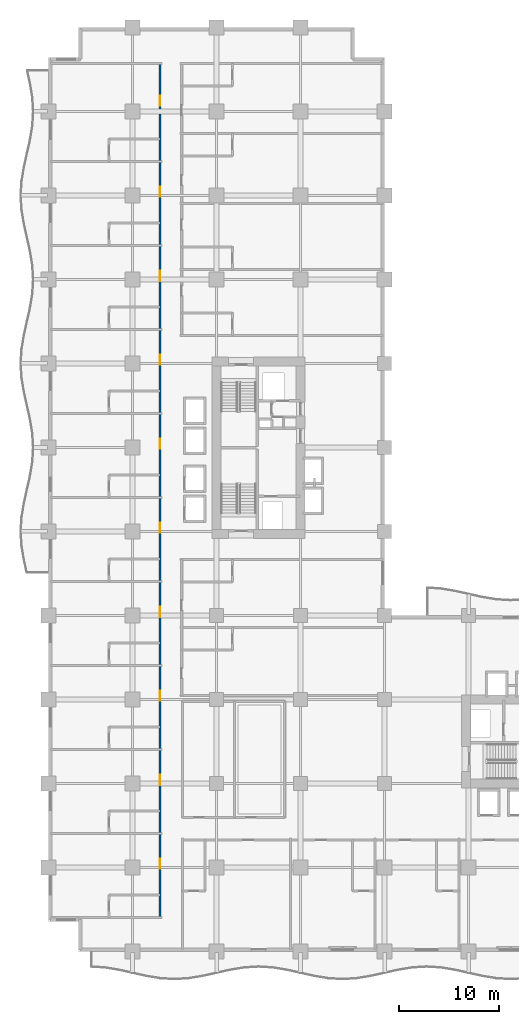
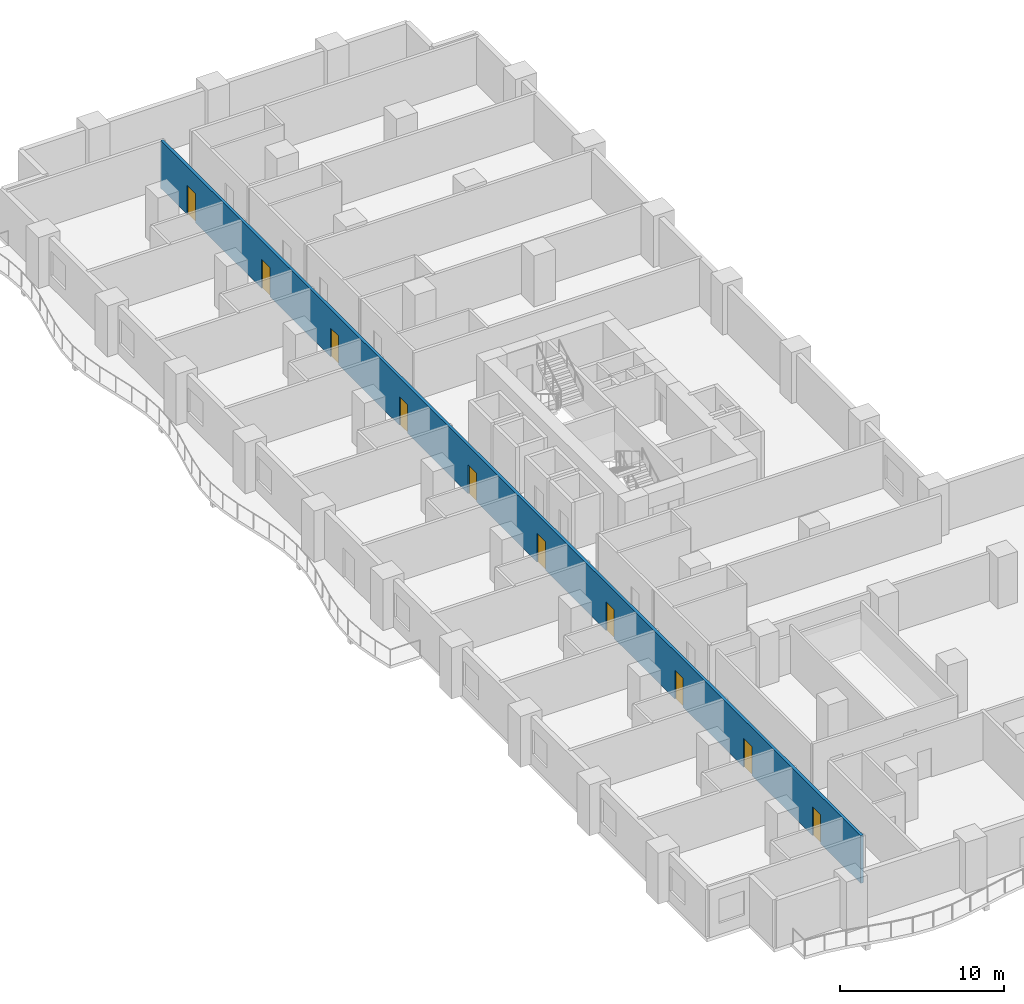
# One storey, part 16 of 26: 10 doors, 1 wall, 10 openings.
"""IFC4 building model written with IfcOpenShell, lengths in metres."""

from ifc_helpers import new_model, si_unit, direction, frame, frame_2d, origin, place, context, subcontext, project, spatial, rectangle, extrude, material, layer, layer_set, type_object, element, fill, save


model = new_model("IFC4")

# Units and contexts
model_context = context("Model", 3, precision=1e-05, world=origin(), true_north=direction((0.0, 1.0)))
body_context = subcontext(model_context, "Body", "Model", "MODEL_VIEW")
ifc_project = project(units=[si_unit("LENGTHUNIT", "METRE"), si_unit("AREAUNIT", "SQUARE_METRE"), si_unit("VOLUMEUNIT", "CUBIC_METRE"), si_unit("PLANEANGLEUNIT", "RADIAN"), si_unit("MASSUNIT", "GRAM", prefix="KILO")], contexts=[model_context])

# Site, building, storey
site_placement = place(None, origin())
site = spatial("IfcSite", under=ifc_project, at=site_placement, CompositionType="ELEMENT")
building_placement = place(site_placement, origin())
building = spatial("IfcBuilding", under=site, at=building_placement, Name="Koriwani Terraces Tower", CompositionType="ELEMENT")
storey_placement = place(building_placement, frame((0.0, 0.0, 39.60009765625)))
storey = spatial("IfcBuildingStorey", under=building, at=storey_placement, Name="L08", CompositionType="ELEMENT", Elevation=39.60009765625)

# Wall, openings, doors
ifc_material_1 = material(Name="Autoclaved Cellular Concrete Blockwork", Category="masonry")
ifc_layer = layer(ifc_material_1, 0.199951171875, Name="Autoclaved Cellular Concrete Blockwork")
ifc_layer_set = layer_set([ifc_layer], Name="Autoclaved Cellular Concrete Blockwork")
wall_type = type_object("IfcWallType", Name="WALL_CORRIDOR_200", PredefinedType="PARTITIONING", material=ifc_layer_set)
wall_placement = place(storey_placement, frame((11.14990234375, 3.39990234375, 0.0), z_axis=(0.0, 0.0, 1.0), x_axis=(0.0, 1.0, 0.0)))
wall = element("IfcWall", 1, at=wall_placement, inside=storey, type_object=wall_type, Name="L08 Interior Wall WCOR-L08-NW-0", PredefinedType="PARTITIONING", context=body_context, shape_type="SweptSolid", body=[
    extrude(rectangle(XDim=85.400146484375, YDim=0.199951171875, at=frame_2d((42.7001953125, 0.0))), origin(), (0.0, 0.0, 1.0), 3.5498046875),
])
opening_1_placement = place(wall_placement, frame((4.864990234375, 0.0, 0.0)))
opening_1 = element("IfcOpeningElement", 2, at=opening_1_placement, cuts=wall, Name="Opening D-05", PredefinedType="OPENING", context=body_context, shape_type="SweptSolid", body=[
    extrude(rectangle(XDim=1.0, YDim=2.14990234375, at=frame_2d((0.5, 1.074951171875))), frame((0.0, 0.10986328125, 0.0), z_axis=(0.0, -1.0, 0.0), x_axis=(1.0, 0.0, 0.0)), (0.0, 0.0, 1.0), 0.219970703125),
])
opening_2_placement = place(wall_placement, frame((13.264892578125, 0.0, 0.0)))
opening_2 = element("IfcOpeningElement", 3, at=opening_2_placement, cuts=wall, Name="Opening D-05", PredefinedType="OPENING", context=body_context, shape_type="SweptSolid", body=[
    extrude(rectangle(XDim=1.0, YDim=2.14990234375, at=frame_2d((0.5, 1.074951171875))), frame((0.0, 0.10986328125, 0.0), z_axis=(0.0, -1.0, 0.0), x_axis=(1.0, 0.0, 0.0)), (0.0, 0.0, 1.0), 0.219970703125),
])
opening_3_placement = place(wall_placement, frame((21.6650390625, 0.0, 0.0)))
opening_3 = element("IfcOpeningElement", 4, at=opening_3_placement, cuts=wall, Name="Opening D-05", PredefinedType="OPENING", context=body_context, shape_type="SweptSolid", body=[
    extrude(rectangle(XDim=1.0, YDim=2.14990234375, at=frame_2d((0.5, 1.074951171875))), frame((0.0, 0.10986328125, 0.0), z_axis=(0.0, -1.0, 0.0), x_axis=(1.0, 0.0, 0.0)), (0.0, 0.0, 1.0), 0.219970703125),
])
opening_4_placement = place(wall_placement, frame((30.06494140625, 0.0, 0.0)))
opening_4 = element("IfcOpeningElement", 5, at=opening_4_placement, cuts=wall, Name="Opening D-05", PredefinedType="OPENING", context=body_context, shape_type="SweptSolid", body=[
    extrude(rectangle(XDim=1.0, YDim=2.14990234375, at=frame_2d((0.5, 1.074951171875))), frame((0.0, 0.10986328125, 0.0), z_axis=(0.0, -1.0, 0.0), x_axis=(1.0, 0.0, 0.0)), (0.0, 0.0, 1.0), 0.219970703125),
])
opening_5_placement = place(wall_placement, frame((38.465087890625, 0.0, 0.0)))
opening_5 = element("IfcOpeningElement", 6, at=opening_5_placement, cuts=wall, Name="Opening D-05", PredefinedType="OPENING", context=body_context, shape_type="SweptSolid", body=[
    extrude(rectangle(XDim=1.0, YDim=2.14990234375, at=frame_2d((0.5, 1.074951171875))), frame((0.0, 0.10986328125, 0.0), z_axis=(0.0, -1.0, 0.0), x_axis=(1.0, 0.0, 0.0)), (0.0, 0.0, 1.0), 0.219970703125),
])
opening_6_placement = place(wall_placement, frame((46.864990234375, 0.0, 0.0)))
opening_6 = element("IfcOpeningElement", 7, at=opening_6_placement, cuts=wall, Name="Opening D-05", PredefinedType="OPENING", context=body_context, shape_type="SweptSolid", body=[
    extrude(rectangle(XDim=1.0, YDim=2.14990234375, at=frame_2d((0.5, 1.074951171875))), frame((0.0, 0.10986328125, 0.0), z_axis=(0.0, -1.0, 0.0), x_axis=(1.0, 0.0, 0.0)), (0.0, 0.0, 1.0), 0.219970703125),
])
opening_7_placement = place(wall_placement, frame((55.264892578125, 0.0, 0.0)))
opening_7 = element("IfcOpeningElement", 8, at=opening_7_placement, cuts=wall, Name="Opening D-05", PredefinedType="OPENING", context=body_context, shape_type="SweptSolid", body=[
    extrude(rectangle(XDim=1.0, YDim=2.14990234375, at=frame_2d((0.5, 1.074951171875))), frame((0.0, 0.10986328125, 0.0), z_axis=(0.0, -1.0, 0.0), x_axis=(1.0, 0.0, 0.0)), (0.0, 0.0, 1.0), 0.219970703125),
])
opening_8_placement = place(wall_placement, frame((63.6650390625, 0.0, 0.0)))
opening_8 = element("IfcOpeningElement", 9, at=opening_8_placement, cuts=wall, Name="Opening D-05", PredefinedType="OPENING", context=body_context, shape_type="SweptSolid", body=[
    extrude(rectangle(XDim=1.0, YDim=2.14990234375, at=frame_2d((0.5, 1.074951171875))), frame((0.0, 0.10986328125, 0.0), z_axis=(0.0, -1.0, 0.0), x_axis=(1.0, 0.0, 0.0)), (0.0, 0.0, 1.0), 0.219970703125),
])
opening_9_placement = place(wall_placement, frame((72.06494140625, 0.0, 0.0)))
opening_9 = element("IfcOpeningElement", 10, at=opening_9_placement, cuts=wall, Name="Opening D-05", PredefinedType="OPENING", context=body_context, shape_type="SweptSolid", body=[
    extrude(rectangle(XDim=1.0, YDim=2.14990234375, at=frame_2d((0.5, 1.074951171875))), frame((0.0, 0.10986328125, 0.0), z_axis=(0.0, -1.0, 0.0), x_axis=(1.0, 0.0, 0.0)), (0.0, 0.0, 1.0), 0.219970703125),
])
opening_10_placement = place(wall_placement, frame((81.1650390625, 0.0, 0.0)))
opening_10 = element("IfcOpeningElement", 11, at=opening_10_placement, cuts=wall, Name="Opening D-05", PredefinedType="OPENING", context=body_context, shape_type="SweptSolid", body=[
    extrude(rectangle(XDim=1.0, YDim=2.14990234375, at=frame_2d((0.5, 1.074951171875))), frame((0.0, 0.10986328125, 0.0), z_axis=(0.0, -1.0, 0.0), x_axis=(1.0, 0.0, 0.0)), (0.0, 0.0, 1.0), 0.219970703125),
])
ifc_material_2 = material(Name="Architectural Oak Fire Door", Category="wood")
door_type = type_object("IfcDoorType", Name="DOOR_SUITE_ENTRY_1000X2150", OperationType="NOTDEFINED", PredefinedType="DOOR", material=ifc_material_2)
door_1_placement = place(opening_1_placement, origin())
door_1 = element("IfcDoor", 12, at=door_1_placement, inside=storey, type_object=door_type, Name="Luxury Hotel Suite 08NW1 Entrance Door", OperationType="SINGLE_SWING_RIGHT", OverallHeight=2.14990234375, OverallWidth=1.0, PredefinedType="DOOR", context=body_context, shape_type="SweptSolid", body=[
    extrude(rectangle(XDim=1.0, YDim=2.14990234375, at=frame_2d((0.5, 1.074951171875))), frame((0.0, 0.02490234375, 0.0), z_axis=(0.0, -1.0, 0.0), x_axis=(1.0, 0.0, 0.0)), (0.0, 0.0, 1.0), 0.050048828125),
])
fill(opening_1, door_1)
door_2_placement = place(opening_2_placement, origin())
door_2 = element("IfcDoor", 13, at=door_2_placement, inside=storey, type_object=door_type, Name="Luxury Hotel Suite 08NW2 Entrance Door", OperationType="SINGLE_SWING_RIGHT", OverallHeight=2.14990234375, OverallWidth=1.0, PredefinedType="DOOR", context=body_context, shape_type="SweptSolid", body=[
    extrude(rectangle(XDim=1.0, YDim=2.14990234375, at=frame_2d((0.5, 1.074951171875))), frame((0.0, 0.02490234375, 0.0), z_axis=(0.0, -1.0, 0.0), x_axis=(1.0, 0.0, 0.0)), (0.0, 0.0, 1.0), 0.050048828125),
])
fill(opening_2, door_2)
door_3_placement = place(opening_3_placement, origin())
door_3 = element("IfcDoor", 14, at=door_3_placement, inside=storey, type_object=door_type, Name="Luxury Hotel Suite 08NW3 Entrance Door", OperationType="SINGLE_SWING_RIGHT", OverallHeight=2.14990234375, OverallWidth=1.0, PredefinedType="DOOR", context=body_context, shape_type="SweptSolid", body=[
    extrude(rectangle(XDim=1.0, YDim=2.14990234375, at=frame_2d((0.5, 1.074951171875))), frame((0.0, 0.02490234375, 0.0), z_axis=(0.0, -1.0, 0.0), x_axis=(1.0, 0.0, 0.0)), (0.0, 0.0, 1.0), 0.050048828125),
])
fill(opening_3, door_3)
door_4_placement = place(opening_4_placement, origin())
door_4 = element("IfcDoor", 15, at=door_4_placement, inside=storey, type_object=door_type, Name="Luxury Hotel Suite 08NW4 Entrance Door", OperationType="SINGLE_SWING_RIGHT", OverallHeight=2.14990234375, OverallWidth=1.0, PredefinedType="DOOR", context=body_context, shape_type="SweptSolid", body=[
    extrude(rectangle(XDim=1.0, YDim=2.14990234375, at=frame_2d((0.5, 1.074951171875))), frame((0.0, 0.02490234375, 0.0), z_axis=(0.0, -1.0, 0.0), x_axis=(1.0, 0.0, 0.0)), (0.0, 0.0, 1.0), 0.050048828125),
])
fill(opening_4, door_4)
door_5_placement = place(opening_5_placement, origin())
door_5 = element("IfcDoor", 16, at=door_5_placement, inside=storey, type_object=door_type, Name="Luxury Hotel Suite 08NW5 Entrance Door", OperationType="SINGLE_SWING_RIGHT", OverallHeight=2.14990234375, OverallWidth=1.0, PredefinedType="DOOR", context=body_context, shape_type="SweptSolid", body=[
    extrude(rectangle(XDim=1.0, YDim=2.14990234375, at=frame_2d((0.5, 1.074951171875))), frame((0.0, 0.02490234375, 0.0), z_axis=(0.0, -1.0, 0.0), x_axis=(1.0, 0.0, 0.0)), (0.0, 0.0, 1.0), 0.050048828125),
])
fill(opening_5, door_5)
door_6_placement = place(opening_6_placement, origin())
door_6 = element("IfcDoor", 17, at=door_6_placement, inside=storey, type_object=door_type, Name="Luxury Hotel Suite 08NW6 Entrance Door", OperationType="SINGLE_SWING_RIGHT", OverallHeight=2.14990234375, OverallWidth=1.0, PredefinedType="DOOR", context=body_context, shape_type="SweptSolid", body=[
    extrude(rectangle(XDim=1.0, YDim=2.14990234375, at=frame_2d((0.5, 1.074951171875))), frame((0.0, 0.02490234375, 0.0), z_axis=(0.0, -1.0, 0.0), x_axis=(1.0, 0.0, 0.0)), (0.0, 0.0, 1.0), 0.050048828125),
])
fill(opening_6, door_6)
door_7_placement = place(opening_7_placement, origin())
door_7 = element("IfcDoor", 18, at=door_7_placement, inside=storey, type_object=door_type, Name="Luxury Hotel Suite 08NW7 Entrance Door", OperationType="SINGLE_SWING_RIGHT", OverallHeight=2.14990234375, OverallWidth=1.0, PredefinedType="DOOR", context=body_context, shape_type="SweptSolid", body=[
    extrude(rectangle(XDim=1.0, YDim=2.14990234375, at=frame_2d((0.5, 1.074951171875))), frame((0.0, 0.02490234375, 0.0), z_axis=(0.0, -1.0, 0.0), x_axis=(1.0, 0.0, 0.0)), (0.0, 0.0, 1.0), 0.050048828125),
])
fill(opening_7, door_7)
door_8_placement = place(opening_8_placement, origin())
door_8 = element("IfcDoor", 19, at=door_8_placement, inside=storey, type_object=door_type, Name="Luxury Hotel Suite 08NW8 Entrance Door", OperationType="SINGLE_SWING_RIGHT", OverallHeight=2.14990234375, OverallWidth=1.0, PredefinedType="DOOR", context=body_context, shape_type="SweptSolid", body=[
    extrude(rectangle(XDim=1.0, YDim=2.14990234375, at=frame_2d((0.5, 1.074951171875))), frame((0.0, 0.02490234375, 0.0), z_axis=(0.0, -1.0, 0.0), x_axis=(1.0, 0.0, 0.0)), (0.0, 0.0, 1.0), 0.050048828125),
])
fill(opening_8, door_8)
door_9_placement = place(opening_9_placement, origin())
door_9 = element("IfcDoor", 20, at=door_9_placement, inside=storey, type_object=door_type, Name="Luxury Hotel Suite 08NW9 Entrance Door", OperationType="SINGLE_SWING_RIGHT", OverallHeight=2.14990234375, OverallWidth=1.0, PredefinedType="DOOR", context=body_context, shape_type="SweptSolid", body=[
    extrude(rectangle(XDim=1.0, YDim=2.14990234375, at=frame_2d((0.5, 1.074951171875))), frame((0.0, 0.02490234375, 0.0), z_axis=(0.0, -1.0, 0.0), x_axis=(1.0, 0.0, 0.0)), (0.0, 0.0, 1.0), 0.050048828125),
])
fill(opening_9, door_9)
door_10_placement = place(opening_10_placement, origin())
door_10 = element("IfcDoor", 21, at=door_10_placement, inside=storey, type_object=door_type, Name="Luxury Hotel Suite 08NW10 Entrance Door", OperationType="SINGLE_SWING_RIGHT", OverallHeight=2.14990234375, OverallWidth=1.0, PredefinedType="DOOR", context=body_context, shape_type="SweptSolid", body=[
    extrude(rectangle(XDim=1.0, YDim=2.14990234375, at=frame_2d((0.5, 1.074951171875))), frame((0.0, 0.02490234375, 0.0), z_axis=(0.0, -1.0, 0.0), x_axis=(1.0, 0.0, 0.0)), (0.0, 0.0, 1.0), 0.050048828125),
])
fill(opening_10, door_10)

save(model, "model.ifc")
